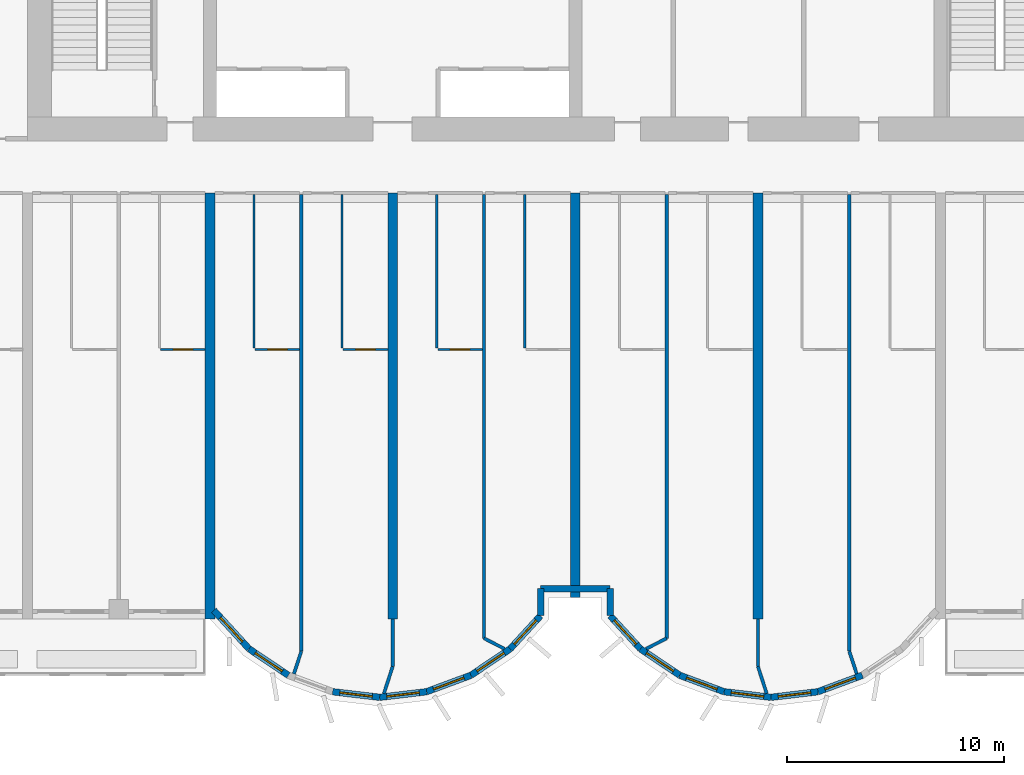
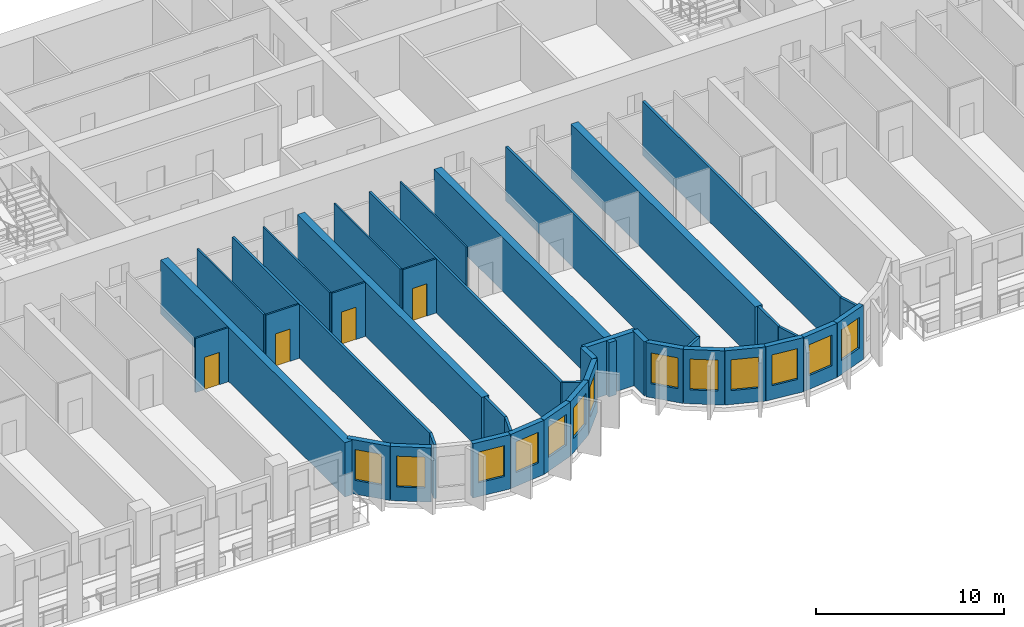
# One storey, part 4 of 14: 40 walls, 13 windows, 4 doors, 17 openings.
"""IFC4 building model written with IfcOpenShell, lengths in metres."""

from ifc_helpers import new_model, si_unit, direction, frame, frame_2d, origin, place, context, subcontext, project, spatial, rectangle, extrude, source, transform, mapped, material, layer, layer_set, type_object, element, fill, save


model = new_model("IFC4")

# Units and contexts
model_context = context("Model", 3, precision=1e-05, world=origin(), true_north=direction((0.0, 1.0)))
body_context = subcontext(model_context, "Body", "Model", "MODEL_VIEW")
ifc_project = project(units=[si_unit("LENGTHUNIT", "METRE"), si_unit("AREAUNIT", "SQUARE_METRE"), si_unit("VOLUMEUNIT", "CUBIC_METRE"), si_unit("PLANEANGLEUNIT", "RADIAN"), si_unit("MASSUNIT", "GRAM", prefix="KILO")], contexts=[model_context])

# Site, building, storey
site_placement = place(None, origin())
site = spatial("IfcSite", under=ifc_project, at=site_placement, CompositionType="ELEMENT")
building_placement = place(site_placement, origin())
building = spatial("IfcBuilding", under=site, at=building_placement, Name="Vanashikhar Sky Hotel", CompositionType="ELEMENT")
storey_placement = place(building_placement, frame((0.0, 0.0, 27.800048828125)))
storey = spatial("IfcBuildingStorey", under=building, at=storey_placement, Name="L05", CompositionType="ELEMENT", Elevation=27.800048828125)

# Walls
ifc_material_1 = material(Name="Concrete M80", Category="concrete")
ifc_layer_1 = layer(ifc_material_1, 0.449951171875)
ifc_layer_set_1 = layer_set([ifc_layer_1], Name="RC shear wall 450 Concrete M80")
wall_type_1 = type_object("IfcWallType", Name="RC shear wall 450 Concrete M80", PredefinedType="SHEAR", material=ifc_layer_set_1)
shared_shape_1 = source(origin(), body_context, "Body", "SweptSolid", [
    extrude(rectangle(XDim=19.60009765625, YDim=0.449951171875, at=frame_2d((9.800048828125, 0.0))), origin(), (0.0, 0.0, 1.0), 3.52001953125),
])
for number, where, z_axis, x_axis, name in (
    (1, (33.60009765625, 0.0, 0.0), (0.0, 0.0, 1.0), (0.0, 1.0, 0.0), "CW-L05-XW05-1"),
    (2, (42.0, 0.0, 0.0), (0.0, 0.0, 1.0), (0.0, 1.0, 0.0), "CW-L05-XW06-1"),
    (3, (58.800048828125, 0.0, 0.0), (0.0, 0.0, 1.0), (0.0, 1.0, 0.0), "CW-L05-XW08-1"),
):
    element("IfcWall", number, at=place(storey_placement, frame(where, z_axis=z_axis, x_axis=x_axis)), inside=storey, type_object=wall_type_1, Name=name, PredefinedType="SHEAR", context=body_context, shape_type="MappedRepresentation", body=[
        mapped(shared_shape_1, transform((0.0, 0.0, 0.0), scale=1.0)),
    ])
shared_shape_2 = source(origin(), body_context, "Body", "SweptSolid", [
    extrude(rectangle(XDim=18.60009765625, YDim=0.449951171875, at=frame_2d((9.300048828125, 0.0))), origin(), (0.0, 0.0, 1.0), 3.52001953125),
])
wall_1_placement = place(storey_placement, frame((50.39990234375, 1.0, 0.0), z_axis=(0.0, 0.0, 1.0), x_axis=(0.0, 1.0, 0.0)))
element("IfcWall", 4, at=wall_1_placement, inside=storey, type_object=wall_type_1, Name="CW-L05-XW07-1", PredefinedType="SHEAR", context=body_context, shape_type="MappedRepresentation", body=[
    mapped(shared_shape_2, transform((0.0, 0.0, 0.0), scale=1.0)),
])

# Wall, opening, window
ifc_material_2 = material(Name="Concrete M50", Category="concrete")
ifc_layer_2 = layer(ifc_material_2, 0.300048828125)
ifc_layer_set_2 = layer_set([ifc_layer_2], Name="Lobe wall 300")
wall_type_2 = type_object("IfcWallType", Name="Lobe wall 300", PredefinedType="SOLIDWALL", material=ifc_layer_set_2)
shared_shape_3 = source(origin(), body_context, "Body", "SweptSolid", [
    extrude(rectangle(XDim=2.398193359375, YDim=0.300048828125, at=frame_2d((1.19921875, 0.0))), origin(), (0.0, 0.0, 1.0), 3.52001953125),
])
wall_2_placement = place(storey_placement, frame((33.776123046875, 0.39990234375, 0.0), z_axis=(0.0, 0.0, 1.0), x_axis=(0.675374189419, -0.737475222815, 0.0)))
wall_2 = element("IfcWall", 5, at=wall_2_placement, inside=storey, type_object=wall_type_2, Name="Lobe wall", PredefinedType="SOLIDWALL", context=body_context, shape_type="MappedRepresentation", body=[
    mapped(shared_shape_3, transform((0.0, 0.0, 0.0), scale=1.0)),
])
shared_shape_4 = source(origin(), body_context, "Body", "SweptSolid", [
    extrude(rectangle(XDim=1.5, YDim=2.0, at=frame_2d((0.75, 1.0))), frame((0.0, 0.16015625, 0.0), z_axis=(0.0, -1.0, 0.0), x_axis=(1.0, 0.0, 0.0)), (0.0, 0.0, 1.0), 0.320068359375),
])
opening_1_placement = place(wall_2_placement, frame((0.44921875, 0.0, 0.89990234375)))
opening_1 = element("IfcOpeningElement", 6, at=opening_1_placement, cuts=wall_2, Name="Opening WN-2", PredefinedType="OPENING", context=body_context, shape_type="MappedRepresentation", body=[
    mapped(shared_shape_4, transform((0.0, 0.0, 0.0), scale=1.0)),
])
ifc_material_3 = material(Name="Glass", Category="glass")
window_type = type_object("IfcWindowType", Name="Lobe window 1500 x 2000", PartitioningType="SINGLE_PANEL", PredefinedType="WINDOW", material=ifc_material_3)
shared_shape_5 = source(origin(), body_context, "Body", "SweptSolid", [
    extrude(rectangle(XDim=1.5, YDim=2.0, at=frame_2d((0.75, 1.0))), frame((0.0, 0.030029296875, 0.0), z_axis=(0.0, -1.0, 0.0), x_axis=(1.0, 0.0, 0.0)), (0.0, 0.0, 1.0), 0.06005859375),
])
window_1_placement = place(opening_1_placement, origin())
window_1 = element("IfcWindow", 7, at=window_1_placement, inside=storey, type_object=window_type, Name="Window WN-2", OverallHeight=2.0, OverallWidth=1.5, PartitioningType="SINGLE_PANEL", PredefinedType="WINDOW", context=body_context, shape_type="MappedRepresentation", body=[
    mapped(shared_shape_5, transform((0.0, 0.0, 0.0), scale=1.0)),
])
fill(opening_1, window_1)

shared_shape_6 = source(origin(), body_context, "Body", "SweptSolid", [
    extrude(rectangle(XDim=2.17578125, YDim=0.300048828125, at=frame_2d((1.087890625, 0.0))), origin(), (0.0, 0.0, 1.0), 3.52001953125),
])
wall_3_placement = place(storey_placement, frame((35.395751953125, -1.36865234375, 0.0), z_axis=(0.0, 0.0, 1.0), x_axis=(0.829590746428, -0.558371913192, 0.0)))
wall_3 = element("IfcWall", 8, at=wall_3_placement, inside=storey, type_object=wall_type_2, Name="Lobe wall", PredefinedType="SOLIDWALL", context=body_context, shape_type="MappedRepresentation", body=[
    mapped(shared_shape_6, transform((0.0, 0.0, 0.0), scale=1.0)),
])
opening_2_placement = place(wall_3_placement, frame((0.337890625, 0.0, 0.89990234375)))
opening_2 = element("IfcOpeningElement", 9, at=opening_2_placement, cuts=wall_3, Name="Opening WN-2", PredefinedType="OPENING", context=body_context, shape_type="MappedRepresentation", body=[
    mapped(shared_shape_4, transform((0.0, 0.0, 0.0), scale=1.0)),
])
window_2_placement = place(opening_2_placement, origin())
window_2 = element("IfcWindow", 10, at=window_2_placement, inside=storey, type_object=window_type, Name="Window WN-2", OverallHeight=2.0, OverallWidth=1.5, PartitioningType="SINGLE_PANEL", PredefinedType="WINDOW", context=body_context, shape_type="MappedRepresentation", body=[
    mapped(shared_shape_5, transform((0.0, 0.0, 0.0), scale=1.0)),
])
fill(opening_2, window_2)

wall_4_placement = place(storey_placement, frame((45.59912109375, -2.58349609375, 0.0), z_axis=(0.0, 0.0, 1.0), x_axis=(0.829625727223, 0.558319937607, 0.0)))
wall_4 = element("IfcWall", 11, at=wall_4_placement, inside=storey, type_object=wall_type_2, Name="Lobe wall", PredefinedType="SOLIDWALL", context=body_context, shape_type="MappedRepresentation", body=[
    mapped(shared_shape_6, transform((0.0, 0.0, 0.0), scale=1.0)),
])
opening_3_placement = place(wall_4_placement, frame((0.337890625, 0.0, 0.89990234375)))
opening_3 = element("IfcOpeningElement", 12, at=opening_3_placement, cuts=wall_4, Name="Opening WN-2", PredefinedType="OPENING", context=body_context, shape_type="MappedRepresentation", body=[
    mapped(shared_shape_4, transform((0.0, 0.0, 0.0), scale=1.0)),
])
window_3_placement = place(opening_3_placement, origin())
window_3 = element("IfcWindow", 13, at=window_3_placement, inside=storey, type_object=window_type, Name="Window WN-2", OverallHeight=2.0, OverallWidth=1.5, PartitioningType="SINGLE_PANEL", PredefinedType="WINDOW", context=body_context, shape_type="MappedRepresentation", body=[
    mapped(shared_shape_5, transform((0.0, 0.0, 0.0), scale=1.0)),
])
fill(opening_3, window_3)

wall_5_placement = place(storey_placement, frame((53.395751953125, -1.36865234375, 0.0), z_axis=(0.0, 0.0, 1.0), x_axis=(0.829590746428, -0.558371913192, 0.0)))
wall_5 = element("IfcWall", 14, at=wall_5_placement, inside=storey, type_object=wall_type_2, Name="Lobe wall", PredefinedType="SOLIDWALL", context=body_context, shape_type="MappedRepresentation", body=[
    mapped(shared_shape_6, transform((0.0, 0.0, 0.0), scale=1.0)),
])
opening_4_placement = place(wall_5_placement, frame((0.337890625, 0.0, 0.89990234375)))
opening_4 = element("IfcOpeningElement", 15, at=opening_4_placement, cuts=wall_5, Name="Opening WN-2", PredefinedType="OPENING", context=body_context, shape_type="MappedRepresentation", body=[
    mapped(shared_shape_4, transform((0.0, 0.0, 0.0), scale=1.0)),
])
window_4_placement = place(opening_4_placement, origin())
window_4 = element("IfcWindow", 16, at=window_4_placement, inside=storey, type_object=window_type, Name="Window WN-2", OverallHeight=2.0, OverallWidth=1.5, PartitioningType="SINGLE_PANEL", PredefinedType="WINDOW", context=body_context, shape_type="MappedRepresentation", body=[
    mapped(shared_shape_5, transform((0.0, 0.0, 0.0), scale=1.0)),
])
fill(opening_4, window_4)

wall_6_placement = place(storey_placement, frame((55.20068359375, -2.58349609375, 0.0), z_axis=(0.0, 0.0, 1.0), x_axis=(0.93754555999, -0.347862505801, 0.0)))
wall_6 = element("IfcWall", 17, at=wall_6_placement, inside=storey, type_object=wall_type_2, Name="Lobe wall", PredefinedType="SOLIDWALL", context=body_context, shape_type="MappedRepresentation", body=[
    mapped(shared_shape_6, transform((0.0, 0.0, 0.0), scale=1.0)),
])
opening_5_placement = place(wall_6_placement, frame((0.337890625, 0.0, 0.89990234375)))
opening_5 = element("IfcOpeningElement", 18, at=opening_5_placement, cuts=wall_6, Name="Opening WN-2", PredefinedType="OPENING", context=body_context, shape_type="MappedRepresentation", body=[
    mapped(shared_shape_4, transform((0.0, 0.0, 0.0), scale=1.0)),
])
window_5_placement = place(opening_5_placement, origin())
window_5 = element("IfcWindow", 19, at=window_5_placement, inside=storey, type_object=window_type, Name="Window WN-2", OverallHeight=2.0, OverallWidth=1.5, PartitioningType="SINGLE_PANEL", PredefinedType="WINDOW", context=body_context, shape_type="MappedRepresentation", body=[
    mapped(shared_shape_5, transform((0.0, 0.0, 0.0), scale=1.0)),
])
fill(opening_5, window_5)

shared_shape_7 = source(origin(), body_context, "Body", "SweptSolid", [
    extrude(rectangle(XDim=2.174560546875, YDim=0.300048828125, at=frame_2d((1.08740234375, 0.0))), origin(), (0.0, 0.0, 1.0), 3.52001953125),
])
wall_7_placement = place(storey_placement, frame((39.240478515625, -3.34033203125, 0.0), z_axis=(0.0, 0.0, 1.0), x_axis=(0.993001132889, -0.118104826659, 0.0)))
wall_7 = element("IfcWall", 20, at=wall_7_placement, inside=storey, type_object=wall_type_2, Name="Lobe wall", PredefinedType="SOLIDWALL", context=body_context, shape_type="MappedRepresentation", body=[
    mapped(shared_shape_7, transform((0.0, 0.0, 0.0), scale=1.0)),
])
opening_6_placement = place(wall_7_placement, frame((0.33740234375, 0.0, 0.89990234375)))
opening_6 = element("IfcOpeningElement", 21, at=opening_6_placement, cuts=wall_7, Name="Opening WN-2", PredefinedType="OPENING", context=body_context, shape_type="MappedRepresentation", body=[
    mapped(shared_shape_4, transform((0.0, 0.0, 0.0), scale=1.0)),
])
window_6_placement = place(opening_6_placement, origin())
window_6 = element("IfcWindow", 22, at=window_6_placement, inside=storey, type_object=window_type, Name="Window WN-2", OverallHeight=2.0, OverallWidth=1.5, PartitioningType="SINGLE_PANEL", PredefinedType="WINDOW", context=body_context, shape_type="MappedRepresentation", body=[
    mapped(shared_shape_5, transform((0.0, 0.0, 0.0), scale=1.0)),
])
fill(opening_6, window_6)

wall_8_placement = place(storey_placement, frame((57.240478515625, -3.34033203125, 0.0), z_axis=(0.0, 0.0, 1.0), x_axis=(0.993001132889, -0.118104826659, 0.0)))
wall_8 = element("IfcWall", 23, at=wall_8_placement, inside=storey, type_object=wall_type_2, Name="Lobe wall", PredefinedType="SOLIDWALL", context=body_context, shape_type="MappedRepresentation", body=[
    mapped(shared_shape_7, transform((0.0, 0.0, 0.0), scale=1.0)),
])
opening_7_placement = place(wall_8_placement, frame((0.33740234375, 0.0, 0.89990234375)))
opening_7 = element("IfcOpeningElement", 24, at=opening_7_placement, cuts=wall_8, Name="Opening WN-2", PredefinedType="OPENING", context=body_context, shape_type="MappedRepresentation", body=[
    mapped(shared_shape_4, transform((0.0, 0.0, 0.0), scale=1.0)),
])
window_7_placement = place(opening_7_placement, origin())
window_7 = element("IfcWindow", 25, at=window_7_placement, inside=storey, type_object=window_type, Name="Window WN-2", OverallHeight=2.0, OverallWidth=1.5, PartitioningType="SINGLE_PANEL", PredefinedType="WINDOW", context=body_context, shape_type="MappedRepresentation", body=[
    mapped(shared_shape_5, transform((0.0, 0.0, 0.0), scale=1.0)),
])
fill(opening_7, window_7)

shared_shape_8 = source(origin(), body_context, "Body", "SweptSolid", [
    extrude(rectangle(XDim=2.1748046875, YDim=0.300048828125, at=frame_2d((1.08740234375, 0.0))), origin(), (0.0, 0.0, 1.0), 3.52001953125),
])
wall_9_placement = place(storey_placement, frame((41.39990234375, -3.59716796875, 0.0), z_axis=(0.0, 0.0, 1.0), x_axis=(0.993002698611, 0.118091661648, 0.0)))
wall_9 = element("IfcWall", 26, at=wall_9_placement, inside=storey, type_object=wall_type_2, Name="Lobe wall", PredefinedType="SOLIDWALL", context=body_context, shape_type="MappedRepresentation", body=[
    mapped(shared_shape_8, transform((0.0, 0.0, 0.0), scale=1.0)),
])
opening_8_placement = place(wall_9_placement, frame((0.33740234375, 0.0, 0.89990234375)))
opening_8 = element("IfcOpeningElement", 27, at=opening_8_placement, cuts=wall_9, Name="Opening WN-2", PredefinedType="OPENING", context=body_context, shape_type="MappedRepresentation", body=[
    mapped(shared_shape_4, transform((0.0, 0.0, 0.0), scale=1.0)),
])
window_8_placement = place(opening_8_placement, origin())
window_8 = element("IfcWindow", 28, at=window_8_placement, inside=storey, type_object=window_type, Name="Window WN-2", OverallHeight=2.0, OverallWidth=1.5, PartitioningType="SINGLE_PANEL", PredefinedType="WINDOW", context=body_context, shape_type="MappedRepresentation", body=[
    mapped(shared_shape_5, transform((0.0, 0.0, 0.0), scale=1.0)),
])
fill(opening_8, window_8)

wall_10_placement = place(storey_placement, frame((59.39990234375, -3.59716796875, 0.0), z_axis=(0.0, 0.0, 1.0), x_axis=(0.993002698611, 0.118091661648, 0.0)))
wall_10 = element("IfcWall", 29, at=wall_10_placement, inside=storey, type_object=wall_type_2, Name="Lobe wall", PredefinedType="SOLIDWALL", context=body_context, shape_type="MappedRepresentation", body=[
    mapped(shared_shape_8, transform((0.0, 0.0, 0.0), scale=1.0)),
])
opening_9_placement = place(wall_10_placement, frame((0.33740234375, 0.0, 0.89990234375)))
opening_9 = element("IfcOpeningElement", 30, at=opening_9_placement, cuts=wall_10, Name="Opening WN-2", PredefinedType="OPENING", context=body_context, shape_type="MappedRepresentation", body=[
    mapped(shared_shape_4, transform((0.0, 0.0, 0.0), scale=1.0)),
])
window_9_placement = place(opening_9_placement, origin())
window_9 = element("IfcWindow", 31, at=window_9_placement, inside=storey, type_object=window_type, Name="Window WN-2", OverallHeight=2.0, OverallWidth=1.5, PartitioningType="SINGLE_PANEL", PredefinedType="WINDOW", context=body_context, shape_type="MappedRepresentation", body=[
    mapped(shared_shape_5, transform((0.0, 0.0, 0.0), scale=1.0)),
])
fill(opening_9, window_9)

shared_shape_9 = source(origin(), body_context, "Body", "SweptSolid", [
    extrude(rectangle(XDim=2.175537109375, YDim=0.300048828125, at=frame_2d((1.087890625, 0.0))), origin(), (0.0, 0.0, 1.0), 3.52001953125),
])
wall_11_placement = place(storey_placement, frame((43.5595703125, -3.34033203125, 0.0), z_axis=(0.0, 0.0, 1.0), x_axis=(0.937531979054, 0.347899106424, 0.0)))
wall_11 = element("IfcWall", 32, at=wall_11_placement, inside=storey, type_object=wall_type_2, Name="Lobe wall", PredefinedType="SOLIDWALL", context=body_context, shape_type="MappedRepresentation", body=[
    mapped(shared_shape_9, transform((0.0, 0.0, 0.0), scale=1.0)),
])
opening_10_placement = place(wall_11_placement, frame((0.337890625, 0.0, 0.89990234375)))
opening_10 = element("IfcOpeningElement", 33, at=opening_10_placement, cuts=wall_11, Name="Opening WN-2", PredefinedType="OPENING", context=body_context, shape_type="MappedRepresentation", body=[
    mapped(shared_shape_4, transform((0.0, 0.0, 0.0), scale=1.0)),
])
window_10_placement = place(opening_10_placement, origin())
window_10 = element("IfcWindow", 34, at=window_10_placement, inside=storey, type_object=window_type, Name="Window WN-2", OverallHeight=2.0, OverallWidth=1.5, PartitioningType="SINGLE_PANEL", PredefinedType="WINDOW", context=body_context, shape_type="MappedRepresentation", body=[
    mapped(shared_shape_5, transform((0.0, 0.0, 0.0), scale=1.0)),
])
fill(opening_10, window_10)

wall_12_placement = place(storey_placement, frame((61.5595703125, -3.34033203125, 0.0), z_axis=(0.0, 0.0, 1.0), x_axis=(0.937531979054, 0.347899106424, 0.0)))
wall_12 = element("IfcWall", 35, at=wall_12_placement, inside=storey, type_object=wall_type_2, Name="Lobe wall", PredefinedType="SOLIDWALL", context=body_context, shape_type="MappedRepresentation", body=[
    mapped(shared_shape_9, transform((0.0, 0.0, 0.0), scale=1.0)),
])
opening_11_placement = place(wall_12_placement, frame((0.337890625, 0.0, 0.89990234375)))
opening_11 = element("IfcOpeningElement", 36, at=opening_11_placement, cuts=wall_12, Name="Opening WN-2", PredefinedType="OPENING", context=body_context, shape_type="MappedRepresentation", body=[
    mapped(shared_shape_4, transform((0.0, 0.0, 0.0), scale=1.0)),
])
window_11_placement = place(opening_11_placement, origin())
window_11 = element("IfcWindow", 37, at=window_11_placement, inside=storey, type_object=window_type, Name="Window WN-2", OverallHeight=2.0, OverallWidth=1.5, PartitioningType="SINGLE_PANEL", PredefinedType="WINDOW", context=body_context, shape_type="MappedRepresentation", body=[
    mapped(shared_shape_5, transform((0.0, 0.0, 0.0), scale=1.0)),
])
fill(opening_11, window_11)

shared_shape_10 = source(origin(), body_context, "Body", "SweptSolid", [
    extrude(rectangle(XDim=2.066650390625, YDim=0.300048828125, at=frame_2d((1.033203125, 0.0))), origin(), (0.0, 0.0, 1.0), 3.52001953125),
])
wall_13_placement = place(storey_placement, frame((47.404296875, -1.36865234375, 0.0), z_axis=(0.0, 0.0, 1.0), x_axis=(0.675355439877, 0.737492393065, 0.0)))
wall_13 = element("IfcWall", 38, at=wall_13_placement, inside=storey, type_object=wall_type_2, Name="Lobe wall", PredefinedType="SOLIDWALL", context=body_context, shape_type="MappedRepresentation", body=[
    mapped(shared_shape_10, transform((0.0, 0.0, 0.0), scale=1.0)),
])
opening_12_placement = place(wall_13_placement, frame((0.283447265625, 0.0, 0.89990234375)))
opening_12 = element("IfcOpeningElement", 39, at=opening_12_placement, cuts=wall_13, Name="Opening WN-2", PredefinedType="OPENING", context=body_context, shape_type="MappedRepresentation", body=[
    mapped(shared_shape_4, transform((0.0, 0.0, 0.0), scale=1.0)),
])
window_12_placement = place(opening_12_placement, origin())
window_12 = element("IfcWindow", 40, at=window_12_placement, inside=storey, type_object=window_type, Name="Window WN-2", OverallHeight=2.0, OverallWidth=1.5, PartitioningType="SINGLE_PANEL", PredefinedType="WINDOW", context=body_context, shape_type="MappedRepresentation", body=[
    mapped(shared_shape_5, transform((0.0, 0.0, 0.0), scale=1.0)),
])
fill(opening_12, window_12)

wall_14_placement = place(storey_placement, frame((52.0, 0.155517578125, 0.0), z_axis=(0.0, 0.0, 1.0), x_axis=(0.675355439877, -0.737492393065, 0.0)))
wall_14 = element("IfcWall", 41, at=wall_14_placement, inside=storey, type_object=wall_type_2, Name="Lobe wall", PredefinedType="SOLIDWALL", context=body_context, shape_type="MappedRepresentation", body=[
    mapped(shared_shape_10, transform((0.0, 0.0, 0.0), scale=1.0)),
])
opening_13_placement = place(wall_14_placement, frame((0.283447265625, 0.0, 0.89990234375)))
opening_13 = element("IfcOpeningElement", 42, at=opening_13_placement, cuts=wall_14, Name="Opening WN-2", PredefinedType="OPENING", context=body_context, shape_type="MappedRepresentation", body=[
    mapped(shared_shape_4, transform((0.0, 0.0, 0.0), scale=1.0)),
])
window_13_placement = place(opening_13_placement, origin())
window_13 = element("IfcWindow", 43, at=window_13_placement, inside=storey, type_object=window_type, Name="Window WN-2", OverallHeight=2.0, OverallWidth=1.5, PartitioningType="SINGLE_PANEL", PredefinedType="WINDOW", context=body_context, shape_type="MappedRepresentation", body=[
    mapped(shared_shape_5, transform((0.0, 0.0, 0.0), scale=1.0)),
])
fill(opening_13, window_13)

# Walls
shared_shape_11 = source(origin(), body_context, "Body", "SweptSolid", [
    extrude(rectangle(XDim=1.244384765625, YDim=0.300048828125, at=frame_2d((0.6220703125, 0.0))), origin(), (0.0, 0.0, 1.0), 3.52001953125),
])
for number, where, z_axis, x_axis, name in (
    (44, (48.800048828125, 0.155517578125, 0.0), (0.0, 0.0, 1.0), (0.0, 1.0, 0.0), "Groove wall"),
    (45, (52.0, 1.39990234375, 0.0), (0.0, 0.0, 1.0), (0.0, -1.0, 0.0), "Groove wall"),
):
    element("IfcWall", number, at=place(storey_placement, frame(where, z_axis=z_axis, x_axis=x_axis)), inside=storey, type_object=wall_type_2, Name=name, PredefinedType="SOLIDWALL", context=body_context, shape_type="MappedRepresentation", body=[
        mapped(shared_shape_11, transform((0.0, 0.0, 0.0), scale=1.0)),
    ])
shared_shape_12 = source(origin(), body_context, "Body", "SweptSolid", [
    extrude(rectangle(XDim=3.199951171875, YDim=0.300048828125, at=frame_2d((1.60009765625, 0.0))), origin(), (0.0, 0.0, 1.0), 3.52001953125),
])
wall_15_placement = place(storey_placement, frame((48.800048828125, 1.39990234375, 0.0), z_axis=(0.0, 0.0, 1.0), x_axis=(1.0, 0.0, 0.0)))
element("IfcWall", 46, at=wall_15_placement, inside=storey, type_object=wall_type_2, Name="Groove wall", PredefinedType="SOLIDWALL", context=body_context, shape_type="MappedRepresentation", body=[
    mapped(shared_shape_12, transform((0.0, 0.0, 0.0), scale=1.0)),
])
ifc_material_4 = material(Name="Gypsum plasterboard partition")
ifc_layer_3 = layer(ifc_material_4, 0.10009765625)
ifc_layer_set_3 = layer_set([ifc_layer_3], Name="Wet room partition 100")
wall_type_3 = type_object("IfcWallType", Name="Wet room partition 100", PredefinedType="PARTITIONING", material=ifc_layer_set_3)
shared_shape_13 = source(origin(), body_context, "Body", "SweptSolid", [
    extrude(rectangle(XDim=7.0498046875, YDim=0.10009765625, at=frame_2d((3.52490234375, 0.0))), origin(), (0.0, 0.0, 1.0), 3.52001953125),
])
for number, where, z_axis, x_axis, name in (
    (47, (35.625, 12.47509765625, 0.0), (0.0, 0.0, 1.0), (0.0, 1.0, 0.0), "W-L05-PW029"),
    (48, (39.675048828125, 12.47509765625, 0.0), (0.0, 0.0, 1.0), (0.0, 1.0, 0.0), "W-L05-PW032"),
    (49, (44.02490234375, 12.47509765625, 0.0), (0.0, 0.0, 1.0), (0.0, 1.0, 0.0), "W-L05-PW036"),
    (50, (48.074951171875, 12.47509765625, 0.0), (0.0, 0.0, 1.0), (0.0, 1.0, 0.0), "W-L05-PW039"),
):
    element("IfcWall", number, at=place(storey_placement, frame(where, z_axis=z_axis, x_axis=x_axis)), inside=storey, type_object=wall_type_3, Name=name, PredefinedType="PARTITIONING", context=body_context, shape_type="MappedRepresentation", body=[
        mapped(shared_shape_13, transform((0.0, 0.0, 0.0), scale=1.0)),
    ])

# Wall, opening, door
shared_shape_14 = source(origin(), body_context, "Body", "SweptSolid", [
    extrude(rectangle(XDim=2.050048828125, YDim=0.10009765625, at=frame_2d((1.02490234375, 0.0))), origin(), (0.0, 0.0, 1.0), 3.52001953125),
])
wall_16_placement = place(storey_placement, frame((31.324951171875, 12.39990234375, 0.0), z_axis=(0.0, 0.0, 1.0), x_axis=(1.0, 0.0, 0.0)))
wall_16 = element("IfcWall", 51, at=wall_16_placement, inside=storey, type_object=wall_type_3, Name="W-L05-PW026", PredefinedType="PARTITIONING", context=body_context, shape_type="MappedRepresentation", body=[
    mapped(shared_shape_14, transform((0.0, 0.0, 0.0), scale=1.0)),
])
shared_shape_15 = source(origin(), body_context, "Body", "SweptSolid", [
    extrude(rectangle(XDim=0.89990234375, YDim=2.10009765625, at=frame_2d((0.449951171875, 1.050048828125))), frame((0.0, 0.06005859375, 0.0), z_axis=(0.0, -1.0, 0.0), x_axis=(1.0, 0.0, 0.0)), (0.0, 0.0, 1.0), 0.1201171875),
])
opening_14_placement = place(wall_16_placement, frame((0.574951171875, 0.0, 0.0)))
opening_14 = element("IfcOpeningElement", 52, at=opening_14_placement, cuts=wall_16, Name="Opening D-02", PredefinedType="OPENING", context=body_context, shape_type="MappedRepresentation", body=[
    mapped(shared_shape_15, transform((0.0, 0.0, 0.0), scale=1.0)),
])
ifc_material_5 = material(Name="Timber door", Category="wood")
door_type = type_object("IfcDoorType", Name="Internal door 900", OperationType="NOTDEFINED", PredefinedType="DOOR", material=ifc_material_5)
shared_shape_16 = source(origin(), body_context, "Body", "SweptSolid", [
    extrude(rectangle(XDim=0.89990234375, YDim=2.10009765625, at=frame_2d((0.449951171875, 1.050048828125))), frame((0.0, 0.02490234375, 0.0), z_axis=(0.0, -1.0, 0.0), x_axis=(1.0, 0.0, 0.0)), (0.0, 0.0, 1.0), 0.050048828125),
])
door_1_placement = place(opening_14_placement, origin())
door_1 = element("IfcDoor", 53, at=door_1_placement, inside=storey, type_object=door_type, Name="D-L05-015", OperationType="SINGLE_SWING_LEFT", OverallHeight=2.10009765625, OverallWidth=0.89990234375, PredefinedType="DOOR", context=body_context, shape_type="MappedRepresentation", body=[
    mapped(shared_shape_16, transform((0.0, 0.0, 0.0), scale=1.0)),
])
fill(opening_14, door_1)

wall_17_placement = place(storey_placement, frame((35.675048828125, 12.39990234375, 0.0), z_axis=(0.0, 0.0, 1.0), x_axis=(1.0, 0.0, 0.0)))
wall_17 = element("IfcWall", 54, at=wall_17_placement, inside=storey, type_object=wall_type_3, Name="W-L05-PW030", PredefinedType="PARTITIONING", context=body_context, shape_type="MappedRepresentation", body=[
    mapped(shared_shape_14, transform((0.0, 0.0, 0.0), scale=1.0)),
])
opening_15_placement = place(wall_17_placement, frame((0.574951171875, 0.0, 0.0)))
opening_15 = element("IfcOpeningElement", 55, at=opening_15_placement, cuts=wall_17, Name="Opening D-02", PredefinedType="OPENING", context=body_context, shape_type="MappedRepresentation", body=[
    mapped(shared_shape_15, transform((0.0, 0.0, 0.0), scale=1.0)),
])
door_2_placement = place(opening_15_placement, origin())
door_2 = element("IfcDoor", 56, at=door_2_placement, inside=storey, type_object=door_type, Name="D-L05-017", OperationType="SINGLE_SWING_LEFT", OverallHeight=2.10009765625, OverallWidth=0.89990234375, PredefinedType="DOOR", context=body_context, shape_type="MappedRepresentation", body=[
    mapped(shared_shape_16, transform((0.0, 0.0, 0.0), scale=1.0)),
])
fill(opening_15, door_2)

wall_18_placement = place(storey_placement, frame((44.074951171875, 12.39990234375, 0.0), z_axis=(0.0, 0.0, 1.0), x_axis=(1.0, 0.0, 0.0)))
wall_18 = element("IfcWall", 57, at=wall_18_placement, inside=storey, type_object=wall_type_3, Name="W-L05-PW037", PredefinedType="PARTITIONING", context=body_context, shape_type="MappedRepresentation", body=[
    mapped(shared_shape_14, transform((0.0, 0.0, 0.0), scale=1.0)),
])
opening_16_placement = place(wall_18_placement, frame((0.574951171875, 0.0, 0.0)))
opening_16 = element("IfcOpeningElement", 58, at=opening_16_placement, cuts=wall_18, Name="Opening D-02", PredefinedType="OPENING", context=body_context, shape_type="MappedRepresentation", body=[
    mapped(shared_shape_15, transform((0.0, 0.0, 0.0), scale=1.0)),
])
door_3_placement = place(opening_16_placement, origin())
door_3 = element("IfcDoor", 59, at=door_3_placement, inside=storey, type_object=door_type, Name="D-L05-021", OperationType="SINGLE_SWING_LEFT", OverallHeight=2.10009765625, OverallWidth=0.89990234375, PredefinedType="DOOR", context=body_context, shape_type="MappedRepresentation", body=[
    mapped(shared_shape_16, transform((0.0, 0.0, 0.0), scale=1.0)),
])
fill(opening_16, door_3)

shared_shape_17 = source(origin(), body_context, "Body", "SweptSolid", [
    extrude(rectangle(XDim=2.0498046875, YDim=0.10009765625, at=frame_2d((1.02490234375, 0.0))), origin(), (0.0, 0.0, 1.0), 3.52001953125),
])
wall_19_placement = place(storey_placement, frame((39.72509765625, 12.39990234375, 0.0), z_axis=(0.0, 0.0, 1.0), x_axis=(1.0, 0.0, 0.0)))
wall_19 = element("IfcWall", 60, at=wall_19_placement, inside=storey, type_object=wall_type_3, Name="W-L05-PW033", PredefinedType="PARTITIONING", context=body_context, shape_type="MappedRepresentation", body=[
    mapped(shared_shape_17, transform((0.0, 0.0, 0.0), scale=1.0)),
])
opening_17_placement = place(wall_19_placement, frame((0.574951171875, 0.0, 0.0)))
opening_17 = element("IfcOpeningElement", 61, at=opening_17_placement, cuts=wall_19, Name="Opening D-02", PredefinedType="OPENING", context=body_context, shape_type="MappedRepresentation", body=[
    mapped(shared_shape_15, transform((0.0, 0.0, 0.0), scale=1.0)),
])
door_4_placement = place(opening_17_placement, origin())
door_4 = element("IfcDoor", 62, at=door_4_placement, inside=storey, type_object=door_type, Name="D-L05-019", OperationType="SINGLE_SWING_LEFT", OverallHeight=2.10009765625, OverallWidth=0.89990234375, PredefinedType="DOOR", context=body_context, shape_type="MappedRepresentation", body=[
    mapped(shared_shape_16, transform((0.0, 0.0, 0.0), scale=1.0)),
])
fill(opening_17, door_4)

# Walls
ifc_layer_4 = layer(ifc_material_4, 0.14990234375)
ifc_layer_set_4 = layer_set([ifc_layer_4], Name="Corridor and demising partition 150")
wall_type_4 = type_object("IfcWallType", Name="Corridor and demising partition 150", PredefinedType="PARTITIONING", material=ifc_layer_set_4)
shared_shape_18 = source(origin(), body_context, "Body", "SweptSolid", [
    extrude(rectangle(XDim=20.997802734375, YDim=0.14990234375, at=frame_2d((10.4990234375, 0.0))), origin(), (0.0, 0.0, 1.0), 3.52001953125),
])
for number, where, z_axis, x_axis, name in (
    (63, (37.800048828125, -1.472900390625, 0.0), (0.0, 0.0, 1.0), (0.0, 1.0, 0.0), "W-L05-PW035"),
    (64, (63.0, -1.472900390625, 0.0), (0.0, 0.0, 1.0), (0.0, 1.0, 0.0), "W-L05-PW056"),
):
    element("IfcWall", number, at=place(storey_placement, frame(where, z_axis=z_axis, x_axis=x_axis)), inside=storey, type_object=wall_type_4, Name=name, PredefinedType="PARTITIONING", context=body_context, shape_type="MappedRepresentation", body=[
        mapped(shared_shape_18, transform((0.0, 0.0, 0.0), scale=1.0)),
    ])
shared_shape_19 = source(origin(), body_context, "Body", "SweptSolid", [
    extrude(rectangle(XDim=20.406005859375, YDim=0.14990234375, at=frame_2d((10.203125, 0.0))), origin(), (0.0, 0.0, 1.0), 3.52001953125),
])
for number, where, z_axis, x_axis, name in (
    (65, (46.199951171875, -0.881103515625, 0.0), (0.0, 0.0, 1.0), (0.0, 1.0, 0.0), "W-L05-PW042"),
    (66, (54.60009765625, -0.881103515625, 0.0), (0.0, 0.0, 1.0), (0.0, 1.0, 0.0), "W-L05-PW049"),
):
    element("IfcWall", number, at=place(storey_placement, frame(where, z_axis=z_axis, x_axis=x_axis)), inside=storey, type_object=wall_type_4, Name=name, PredefinedType="PARTITIONING", context=body_context, shape_type="MappedRepresentation", body=[
        mapped(shared_shape_19, transform((0.0, 0.0, 0.0), scale=1.0)),
    ])
shared_shape_20 = source(origin(), body_context, "Body", "SweptSolid", [
    extrude(rectangle(XDim=2.177978515625, YDim=0.14990234375, at=frame_2d((1.0888671875, 0.0))), origin(), (0.0, 0.0, 1.0), 3.52001953125),
])
for number, where, z_axis, x_axis, name in (
    (67, (42.0, -2.177978515625, 0.0), (0.0, 0.0, 1.0), (0.0, 1.0, 0.0), "W-L05-PW085"),
    (68, (58.800048828125, -2.177978515625, 0.0), (0.0, 0.0, 1.0), (0.0, 1.0, 0.0), "W-L05-PW086"),
):
    element("IfcWall", number, at=place(storey_placement, frame(where, z_axis=z_axis, x_axis=x_axis)), inside=storey, type_object=wall_type_4, Name=name, PredefinedType="PARTITIONING", context=body_context, shape_type="MappedRepresentation", body=[
        mapped(shared_shape_20, transform((0.0, 0.0, 0.0), scale=1.0)),
    ])
shared_shape_21 = source(origin(), body_context, "Body", "SweptSolid", [
    extrude(rectangle(XDim=1.100830078125, YDim=0.14990234375, at=frame_2d((0.55029296875, 0.0))), origin(), (0.0, 0.0, 1.0), 3.52001953125),
])
for number, where, z_axis, x_axis, name in (
    (69, (37.45703125, -2.51904296875, 0.0), (0.0, 0.0, 1.0), (0.311567081539, 0.950224159712, 0.0), "W-L05-PW035B0"),
    (70, (63.343017578125, -2.51904296875, 0.0), (0.0, 0.0, 1.0), (-0.311567081539, 0.950224159712, 0.0), "W-L05-PW056B0"),
):
    element("IfcWall", number, at=place(storey_placement, frame(where, z_axis=z_axis, x_axis=x_axis)), inside=storey, type_object=wall_type_4, Name=name, PredefinedType="PARTITIONING", context=body_context, shape_type="MappedRepresentation", body=[
        mapped(shared_shape_21, transform((0.0, 0.0, 0.0), scale=1.0)),
    ])
shared_shape_22 = source(origin(), body_context, "Body", "SweptSolid", [
    extrude(rectangle(XDim=1.0576171875, YDim=0.14990234375, at=frame_2d((0.52880859375, 0.0))), origin(), (0.0, 0.0, 1.0), 3.52001953125),
])
wall_20_placement = place(storey_placement, frame((47.139892578125, -1.365966796875, 0.0), z_axis=(0.0, 0.0, 1.0), x_axis=(-0.888723819054, 0.458442988218, 0.0)))
element("IfcWall", 71, at=wall_20_placement, inside=storey, type_object=wall_type_4, Name="W-L05-PW042B0", PredefinedType="PARTITIONING", context=body_context, shape_type="MappedRepresentation", body=[
    mapped(shared_shape_22, transform((0.0, 0.0, 0.0), scale=1.0)),
])
shared_shape_23 = source(origin(), body_context, "Body", "SweptSolid", [
    extrude(rectangle(XDim=1.057861328125, YDim=0.14990234375, at=frame_2d((0.52880859375, 0.0))), origin(), (0.0, 0.0, 1.0), 3.52001953125),
])
wall_21_placement = place(storey_placement, frame((53.659912109375, -1.365966796875, 0.0), z_axis=(0.0, 0.0, 1.0), x_axis=(0.888772319209, 0.458348955063, 0.0)))
element("IfcWall", 72, at=wall_21_placement, inside=storey, type_object=wall_type_4, Name="W-L05-PW049B0", PredefinedType="PARTITIONING", context=body_context, shape_type="MappedRepresentation", body=[
    mapped(shared_shape_23, transform((0.0, 0.0, 0.0), scale=1.0)),
])
shared_shape_24 = source(origin(), body_context, "Body", "SweptSolid", [
    extrude(rectangle(XDim=1.308349609375, YDim=0.14990234375, at=frame_2d((0.654296875, 0.0))), origin(), (0.0, 0.0, 1.0), 3.52001953125),
])
for number, where, z_axis, x_axis, name in (
    (73, (41.597900390625, -3.423095703125, 0.0), (0.0, 0.0, 1.0), (0.307313512187, 0.951608325535, 0.0), "W-L05-PW085B0"),
    (74, (59.201904296875, -3.423095703125, 0.0), (0.0, 0.0, 1.0), (-0.307144529633, 0.951662880392, 0.0), "W-L05-PW086B0"),
):
    element("IfcWall", number, at=place(storey_placement, frame(where, z_axis=z_axis, x_axis=x_axis)), inside=storey, type_object=wall_type_4, Name=name, PredefinedType="PARTITIONING", context=body_context, shape_type="MappedRepresentation", body=[
        mapped(shared_shape_24, transform((0.0, 0.0, 0.0), scale=1.0)),
    ])

save(model, "model.ifc")
